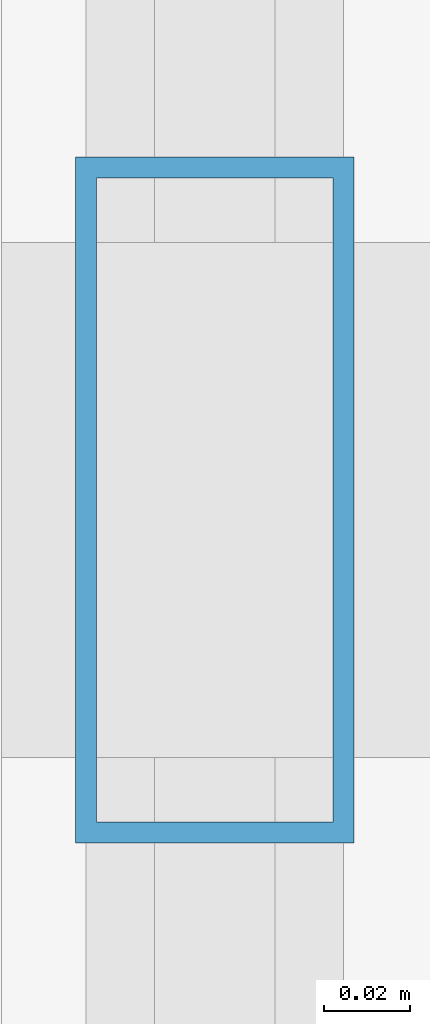
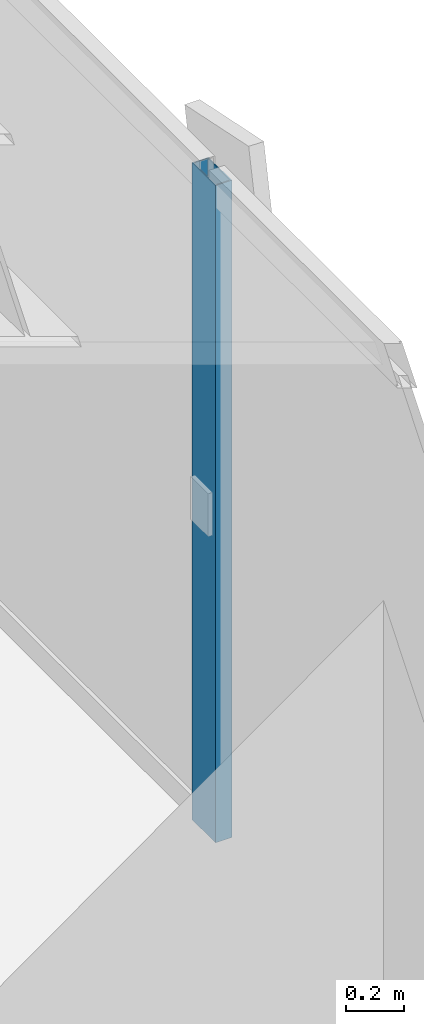
# One storey, part 11 of 27: 1 member, 1 element without a shape of its own.
"""IFC4 building model written with IfcOpenShell, lengths in metres."""

from ifc_helpers import new_model, si_unit, direction, frame, origin, origin_2d, place, context, subcontext, project, spatial, hollow_rectangle, extrude, source, transform, mapped, material, layer, layer_set, material_profile, profile_set, type_object, element, aggregate, save


model = new_model("IFC4")

# Units and contexts
model_context = context("Model", 3, precision=1e-05, world=origin(), true_north=direction((0.0, 1.0)))
body_context = subcontext(model_context, "Body", "Model", "MODEL_VIEW")
ifc_project = project(units=[si_unit("LENGTHUNIT", "METRE"), si_unit("AREAUNIT", "SQUARE_METRE"), si_unit("VOLUMEUNIT", "CUBIC_METRE"), si_unit("PLANEANGLEUNIT", "RADIAN"), si_unit("MASSUNIT", "GRAM", prefix="KILO")], contexts=[model_context])

# Site, building, storey
site_placement = place(None, origin())
site = spatial("IfcSite", under=ifc_project, at=site_placement, CompositionType="ELEMENT")
building_placement = place(site_placement, origin())
building = spatial("IfcBuilding", under=site, at=building_placement, Name="Sumidabori Civic Tower", CompositionType="ELEMENT")
storey_placement = place(building_placement, frame((0.0, 0.0, 138.800048828125)))
storey = spatial("IfcBuildingStorey", under=building, at=storey_placement, Name="L35", CompositionType="ELEMENT", Elevation=138.800048828125)

# Curtain wall, member
ifc_material = material(Name="Anodised Bronze Aluminium AW-6063-T6", Category="aluminium")
ifc_layer = layer(ifc_material, 0.179931640625, Name="Anodised Bronze Aluminium AW-6063-T6")
ifc_layer_set = layer_set([ifc_layer], Name="Anodised Bronze Aluminium AW-6063-T6")
curtain_wall_type = type_object("IfcCurtainWallType", Name="CW-SYS-3", PredefinedType="NOTDEFINED", material=ifc_layer_set)
curtain_wall_placement = place(storey_placement, origin())
curtain_wall = element("IfcCurtainWall", 1, at=curtain_wall_placement, inside=storey, type_object=curtain_wall_type, Name="Curtain Wall CW:L35:R04", PredefinedType="NOTDEFINED")
ifc_material_profile = material_profile(ifc_material, hollow_rectangle(XDim=0.06494140625, YDim=0.159912109375, WallThickness=0.0048828125, at=origin_2d()), Name="ALU MULLION 160x65")
ifc_profile_set = profile_set([ifc_material_profile], Name="Anodised Bronze Aluminium AW-6063-T6")
member_type = type_object("IfcMemberType", Name="CW-MUL-160", PredefinedType="MULLION", material=ifc_profile_set)
shared_shape = source(origin(), body_context, "Body", "SweptSolid", [
    extrude(hollow_rectangle(XDim=0.06494140625, YDim=0.159912109375, WallThickness=0.0048828125, at=origin_2d()), origin(), (0.0, 0.0, 1.0), 2.760009765625),
])
member_placement = place(storey_placement, frame((23.8798828125, -8.3349609375, 0.0), z_axis=(0.0, 0.0, 1.0), x_axis=(-1.0, 0.0, 0.0)))
member = element("IfcMember", 2, at=member_placement, type_object=member_type, Name="CW-3 mullion 2", PredefinedType="MULLION", context=body_context, shape_type="MappedRepresentation", body=[
    mapped(shared_shape, transform((0.0, 0.0, 0.0), x_axis=(1.0, 0.0, 0.0), y_axis=(0.0, 1.0, 0.0), z_axis=(0.0, 0.0, 1.0), scale=1.0)),
])
aggregate(curtain_wall, [member])

save(model, "model.ifc")
